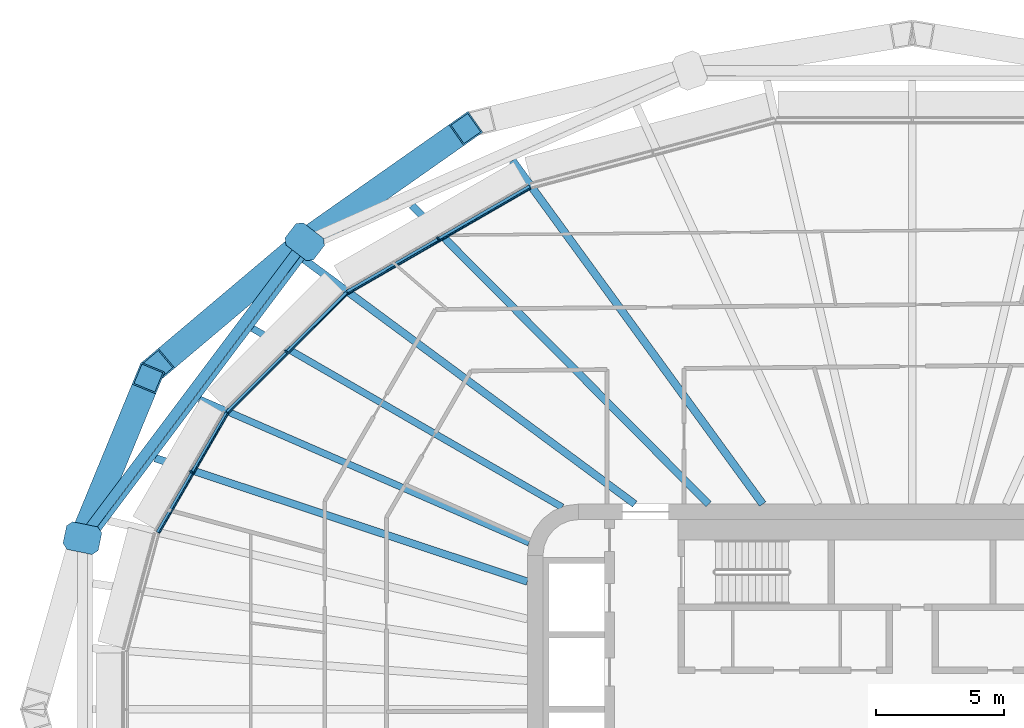
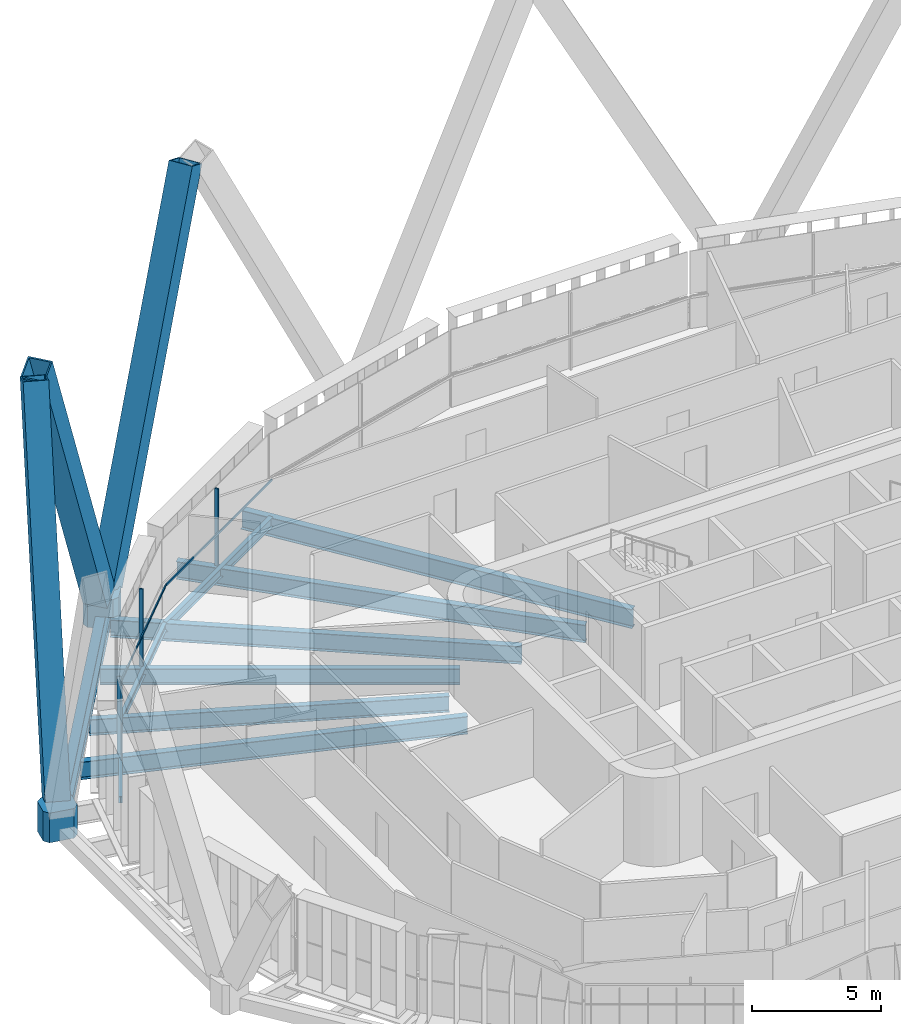
# One storey, part 7 of 25: 11 beams, 11 members, 3 elements without a shape of their own.
"""IFC4 building model written with IfcOpenShell, lengths in metres."""

from ifc_helpers import new_model, si_unit, direction, frame, origin, origin_2d, place, context, subcontext, project, spatial, polyline, rectangle, hollow_rectangle, i_section, outline, extrude, material, layer, layer_set, material_profile, profile_set, type_object, element, aggregate, save


model = new_model("IFC4")

# Units and contexts
model_context = context("Model", 3, precision=1e-05, world=origin(), true_north=direction((0.0, 1.0)))
body_context = subcontext(model_context, "Body", "Model", "MODEL_VIEW")
ifc_project = project(units=[si_unit("LENGTHUNIT", "METRE"), si_unit("AREAUNIT", "SQUARE_METRE"), si_unit("VOLUMEUNIT", "CUBIC_METRE"), si_unit("PLANEANGLEUNIT", "RADIAN"), si_unit("MASSUNIT", "GRAM", prefix="KILO")], contexts=[model_context])

# Site, building, storey
site_placement = place(None, origin())
site = spatial("IfcSite", under=ifc_project, at=site_placement, CompositionType="ELEMENT")
building_placement = place(site_placement, origin())
building = spatial("IfcBuilding", under=site, at=building_placement, Name="Sahrelin Media Tower", CompositionType="ELEMENT")
storey_placement = place(building_placement, frame((0.0, 0.0, 63.0)))
storey = spatial("IfcBuildingStorey", under=building, at=storey_placement, Name="L10", CompositionType="ELEMENT", Elevation=63.0)

# Members
ifc_material_1 = material(Name="Steel S460", Category="steel")
ifc_material_profile_1 = material_profile(ifc_material_1, hollow_rectangle(XDim=1.0, YDim=1.0, WallThickness=0.06005859375, at=origin_2d()), Name="Diagrid diagonal DG1")
ifc_profile_set_1 = profile_set([ifc_material_profile_1], Name="Steel S460")
member_type_1 = type_object("IfcMemberType", Name="Diagrid diagonal DG1", PredefinedType="BRACE", material=ifc_profile_set_1)
member_1_placement = place(storey_placement, frame((-23.408203125, 18.419189453125, 0.699951171875), z_axis=(0.352189140752, 0.247399563402, 0.902638501929), x_axis=(-0.574813771639, 0.818284258638, 0.0)))
element("IfcMember", 1, at=member_1_placement, inside=storey, type_object=member_type_1, Name="Diagrid diagonal D01-08", PredefinedType="BRACE", context=body_context, shape_type="SweptSolid", body=[
    extrude(hollow_rectangle(XDim=1.0, YDim=1.0, WallThickness=0.06005859375, at=origin_2d()), origin(), (0.0, 0.0, 1.0), 17.061279296875),
])
member_2_placement = place(storey_placement, frame((-23.930419921875, 18.01708984375, 0.699951171875), z_axis=(-0.322789301353, -0.272234018557, 0.90647432731), x_axis=(0.644705674883, -0.764430894701, 0.0)))
element("IfcMember", 2, at=member_2_placement, inside=storey, type_object=member_type_1, Name="Diagrid diagonal D01-09", PredefinedType="BRACE", context=body_context, shape_type="SweptSolid", body=[
    extrude(hollow_rectangle(XDim=1.0, YDim=1.0, WallThickness=0.06005859375, at=origin_2d()), origin(), (0.0, 0.0, 1.0), 16.989013671875),
])
member_3_placement = place(storey_placement, frame((-32.2373046875, 6.943115234375, 0.699951171875), z_axis=(0.147434029779, 0.357371081902, 0.922252197982), x_axis=(-0.92442176853, 0.381371726623, 0.0)))
element("IfcMember", 3, at=member_3_placement, inside=storey, type_object=member_type_1, Name="Diagrid diagonal D01-10", PredefinedType="BRACE", context=body_context, shape_type="SweptSolid", body=[
    extrude(hollow_rectangle(XDim=1.0, YDim=1.0, WallThickness=0.06005859375, at=origin_2d()), origin(), (0.0, 0.0, 1.0), 16.698486328125),
])
ifc_material_profile_2 = material_profile(ifc_material_1, outline(polyline([(0.5, -0.550048828125), (0.699951171875, -0.35009765625), (0.699951171875, 0.35009765625), (0.5, 0.550048828125), (-0.5, 0.550048828125), (-0.699951171875, 0.35009765625), (-0.699951171875, -0.35009765625), (-0.5, -0.550048828125), (0.5, -0.550048828125)])), Name="Diagrid node block 1400")
ifc_profile_set_2 = profile_set([ifc_material_profile_2], Name="Steel S460")
member_type_2 = type_object("IfcMemberType", Name="Diagrid node block 1400", PredefinedType="USERDEFINED", material=ifc_profile_set_2)
for number, where, z_axis, x_axis, name in (
    (4, (-23.68115234375, 18.227294921875, -0.699951171875), (0.0, 0.0, 1.0), (-0.792445093645, 0.609943254376, 0.0), "Diagrid node N01-04"),
    (5, (-32.34912109375, 6.671630859375, -0.699951171875), (0.0, 0.0, 1.0), (-0.979387770926, 0.201989094163, 0.0), "Diagrid node N01-05"),
):
    element("IfcMember", number, at=place(storey_placement, frame(where, z_axis=z_axis, x_axis=x_axis)), inside=storey, type_object=member_type_2, Name=name, ObjectType="NODE", PredefinedType="USERDEFINED", context=body_context, shape_type="SweptSolid", body=[
        extrude(outline(polyline([(0.5, -0.550048828125), (0.699951171875, -0.35009765625), (0.699951171875, 0.35009765625), (0.5, 0.550048828125), (-0.5, 0.550048828125), (-0.699951171875, 0.35009765625), (-0.699951171875, -0.35009765625), (-0.5, -0.550048828125), (0.5, -0.550048828125)])), origin(), (0.0, 0.0, 1.0), 1.39990234375),
    ])

# Beams
ifc_material_profile_3 = material_profile(ifc_material_1, hollow_rectangle(XDim=0.39990234375, YDim=0.60009765625, WallThickness=0.030029296875, at=origin_2d()), Name="Diagrid ring beam RB1")
ifc_profile_set_3 = profile_set([ifc_material_profile_3], Name="Steel S460")
beam_type_1 = type_object("IfcBeamType", Name="Diagrid ring beam RB1", PredefinedType="BEAM", material=ifc_profile_set_3)
beam_1_placement = place(storey_placement, frame((-23.68115234375, 18.227294921875, -0.449951171875), z_axis=(-0.600054081917, -0.799959435706, 0.0), x_axis=(0.799959435706, -0.600054081917, 0.0)))
element("IfcBeam", 6, at=beam_1_placement, inside=storey, type_object=beam_type_1, Name="Diagrid ring beam RB01-04", PredefinedType="BEAM", context=body_context, shape_type="SweptSolid", body=[
    extrude(hollow_rectangle(XDim=0.39990234375, YDim=0.60009765625, WallThickness=0.030029296875, at=origin_2d()), origin(), (0.0, 0.0, 1.0), 14.4453125),
])
ifc_material_2 = material(Name="Steel S355", Category="steel")
ifc_material_profile_4 = material_profile(ifc_material_2, i_section(OverallWidth=0.1650390625, OverallDepth=0.303466796875, WebThickness=0.006103515625, FlangeThickness=0.01025390625, FilletRadius=0.0087890625, at=origin_2d()), Name="UB 305x165x40")
ifc_profile_set_4 = profile_set([ifc_material_profile_4], Name="Steel S355")
beam_type_2 = type_object("IfcBeamType", Name="Edge beam EB2", PredefinedType="BEAM", material=ifc_profile_set_4)
beam_2_placement = place(storey_placement, frame((-29.40087890625, 6.885498046875, -0.3017578125), z_axis=(0.500003162844, 0.866023577708, 0.0), x_axis=(-0.866023577708, 0.500003162844, 0.0)))
element("IfcBeam", 7, at=beam_2_placement, inside=storey, type_object=beam_type_2, Name="Edge beam L10-15", PredefinedType="BEAM", context=body_context, shape_type="SweptSolid", body=[
    extrude(i_section(OverallWidth=0.1650390625, OverallDepth=0.303466796875, WebThickness=0.006103515625, FlangeThickness=0.01025390625, FilletRadius=0.0087890625, at=origin_2d()), origin(), (0.0, 0.0, 1.0), 5.3955078125),
])
ifc_material_profile_5 = material_profile(ifc_material_2, i_section(OverallWidth=0.17138671875, OverallDepth=0.35498046875, WebThickness=0.00732421875, FlangeThickness=0.011474609375, FilletRadius=0.01025390625, at=origin_2d()), Name="UB 356x171x51")
ifc_profile_set_5 = profile_set([ifc_material_profile_5], Name="Steel S355")
beam_type_3 = type_object("IfcBeamType", Name="Edge beam EB3", PredefinedType="BEAM", material=ifc_profile_set_5)
beam_3_placement = place(storey_placement, frame((-26.685791015625, 11.580810546875, -0.327392578125), z_axis=(0.707106781187, 0.707106781187, 0.0), x_axis=(-0.707106781187, 0.707106781187, 0.0)))
element("IfcBeam", 8, at=beam_3_placement, inside=storey, type_object=beam_type_3, Name="Edge beam L10-16", PredefinedType="BEAM", context=body_context, shape_type="SweptSolid", body=[
    extrude(i_section(OverallWidth=0.17138671875, OverallDepth=0.35498046875, WebThickness=0.00732421875, FlangeThickness=0.011474609375, FilletRadius=0.01025390625, at=origin_2d()), origin(), (0.0, 0.0, 1.0), 6.574951171875),
])
ifc_material_profile_6 = material_profile(ifc_material_2, i_section(OverallWidth=0.1904296875, OverallDepth=0.45703125, WebThickness=0.009033203125, FlangeThickness=0.014404296875, FilletRadius=0.01025390625, at=origin_2d()), Name="UB 457x191x74")
ifc_profile_set_6 = profile_set([ifc_material_profile_6], Name="Steel S355")
beam_type_4 = type_object("IfcBeamType", Name="Edge beam EB5", PredefinedType="BEAM", material=ifc_profile_set_6)
beam_4_placement = place(storey_placement, frame((-22.013671875, 16.24755859375, -0.37841796875), z_axis=(0.866022854634, 0.500004415232, 0.0), x_axis=(-0.500004415232, 0.866022854634, 0.0)))
element("IfcBeam", 9, at=beam_4_placement, inside=storey, type_object=beam_type_4, Name="Edge beam L10-17", PredefinedType="BEAM", context=body_context, shape_type="SweptSolid", body=[
    extrude(i_section(OverallWidth=0.1904296875, OverallDepth=0.45703125, WebThickness=0.009033203125, FlangeThickness=0.014404296875, FilletRadius=0.01025390625, at=origin_2d()), origin(), (0.0, 0.0, 1.0), 8.2197265625),
])

# Curtain wall, member
ifc_material_3 = material(Name="Champagne anodised aluminium 6063-T6", Category="aluminium")
ifc_layer = layer(ifc_material_3, 0.14990234375)
ifc_layer_set = layer_set([ifc_layer], Name="Tower ribbon curtain wall")
curtain_wall_type = type_object("IfcCurtainWallType", Name="Tower ribbon curtain wall", PredefinedType="NOTDEFINED", material=ifc_layer_set)
curtain_wall_1_placement = place(storey_placement, frame((-18.529296875, 18.4326171875, 0.0), z_axis=(0.0, 0.0, 1.0), x_axis=(1.0, 0.0, 0.0)))
curtain_wall_1 = element("IfcCurtainWall", 10, at=curtain_wall_1_placement, inside=storey, type_object=curtain_wall_type, Name="L10:CW:L10-08", PredefinedType="NOTDEFINED")
ifc_material_profile_7 = material_profile(ifc_material_3, rectangle(XDim=0.06005859375, YDim=0.14990234375, at=origin_2d()), Name="Mullion 60x150")
ifc_profile_set_7 = profile_set([ifc_material_profile_7], Name="Champagne anodised aluminium 6063-T6")
member_type_3 = type_object("IfcMemberType", Name="Mullion 60x150 CW1", PredefinedType="MULLION", material=ifc_profile_set_7)
member_4_placement = place(storey_placement, frame((-18.48193359375, 18.35009765625, 0.0), z_axis=(0.0, 0.0, 1.0), x_axis=(-0.866025403784, -0.5, 0.0)))
member_4 = element("IfcMember", 11, at=member_4_placement, type_object=member_type_3, Name="L10:CWM:L10-08", PredefinedType="MULLION", context=body_context, shape_type="SweptSolid", body=[
    extrude(rectangle(XDim=0.06005859375, YDim=0.14990234375, at=origin_2d()), origin(), (0.0, 0.0, 1.0), 3.648681640625),
])

curtain_wall_2_placement = place(storey_placement, frame((-24.46728515625, 14.011474609375, 0.0), z_axis=(0.0, 0.0, 1.0), x_axis=(1.0, 0.0, 0.0)))
curtain_wall_2 = element("IfcCurtainWall", 12, at=curtain_wall_2_placement, inside=storey, type_object=curtain_wall_type, Name="L10:CW:L10-09", PredefinedType="NOTDEFINED")
member_5_placement = place(storey_placement, frame((-24.39990234375, 13.9443359375, 0.0), z_axis=(0.0, 0.0, 1.0), x_axis=(-0.707106781187, -0.707106781187, 0.0)))
member_5 = element("IfcMember", 13, at=member_5_placement, type_object=member_type_3, Name="L10:CWM:L10-09", PredefinedType="MULLION", context=body_context, shape_type="SweptSolid", body=[
    extrude(rectangle(XDim=0.06005859375, YDim=0.14990234375, at=origin_2d()), origin(), (0.0, 0.0, 1.0), 3.648681640625),
])

curtain_wall_3_placement = place(storey_placement, frame((-28.181884765625, 9.296630859375, 0.0), z_axis=(0.0, 0.0, 1.0), x_axis=(1.0, 0.0, 0.0)))
curtain_wall_3 = element("IfcCurtainWall", 14, at=curtain_wall_3_placement, inside=storey, type_object=curtain_wall_type, Name="L10:CW:L10-10", PredefinedType="NOTDEFINED")
member_6_placement = place(storey_placement, frame((-28.099609375, 9.249267578125, 0.0), z_axis=(0.0, 0.0, 1.0), x_axis=(-0.499996976998, -0.866027149108, 0.0)))
member_6 = element("IfcMember", 15, at=member_6_placement, type_object=member_type_3, Name="L10:CWM:L10-10", PredefinedType="MULLION", context=body_context, shape_type="SweptSolid", body=[
    extrude(rectangle(XDim=0.06005859375, YDim=0.14990234375, at=origin_2d()), origin(), (0.0, 0.0, 1.0), 3.648681640625),
])

# Beams
ifc_material_profile_8 = material_profile(ifc_material_2, i_section(OverallWidth=0.291748046875, OverallDepth=0.8349609375, WebThickness=0.013916015625, FlangeThickness=0.018798828125, FilletRadius=0.017822265625, at=origin_2d()), Name="UB 838x292x176")
ifc_profile_set_8 = profile_set([ifc_material_profile_8], Name="Steel S355")
beam_type_5 = type_object("IfcBeamType", Name="Radial primary beam PB10", PredefinedType="BEAM", material=ifc_profile_set_8)
beam_5_placement = place(storey_placement, frame((-10.8154296875, 8.0, -0.5673828125), z_axis=(-0.803971039313, 0.59466845212, 0.0), x_axis=(-0.59466845212, -0.803971039313, 0.0)))
element("IfcBeam", 16, at=beam_5_placement, inside=storey, type_object=beam_type_5, Name="Radial beam L10-09", PredefinedType="BEAM", context=body_context, shape_type="SweptSolid", body=[
    extrude(i_section(OverallWidth=0.291748046875, OverallDepth=0.8349609375, WebThickness=0.013916015625, FlangeThickness=0.018798828125, FilletRadius=0.017822265625, at=origin_2d()), origin(), (0.0, 0.0, 1.0), 16.033935546875),
])
ifc_material_profile_9 = material_profile(ifc_material_2, i_section(OverallWidth=0.30322265625, OverallDepth=0.903076171875, WebThickness=0.01513671875, FlangeThickness=0.020263671875, FilletRadius=0.01904296875, at=origin_2d()), Name="UB 914x305x201")
ifc_profile_set_9 = profile_set([ifc_material_profile_9], Name="Steel S355")
beam_type_6 = type_object("IfcBeamType", Name="Radial primary beam PB11", PredefinedType="BEAM", material=ifc_profile_set_9)
beam_6_placement = place(storey_placement, frame((-5.8291015625, 8.0, -0.6015625), z_axis=(-0.588900368417, 0.808205639722, 0.0), x_axis=(-0.808205639722, -0.588900368417, 0.0)))
element("IfcBeam", 17, at=beam_6_placement, inside=storey, type_object=beam_type_6, Name="Radial beam L10-08", PredefinedType="BEAM", context=body_context, shape_type="SweptSolid", body=[
    extrude(i_section(OverallWidth=0.30322265625, OverallDepth=0.903076171875, WebThickness=0.01513671875, FlangeThickness=0.020263671875, FilletRadius=0.01904296875, at=origin_2d()), origin(), (0.0, 0.0, 1.0), 16.569580078125),
])
ifc_material_profile_10 = material_profile(ifc_material_2, i_section(OverallWidth=0.26513671875, OverallDepth=0.75390625, WebThickness=0.0126953125, FlangeThickness=0.017578125, FilletRadius=0.0166015625, at=origin_2d()), Name="UB 762x267x147")
ifc_profile_set_10 = profile_set([ifc_material_profile_10], Name="Steel S355")
beam_type_7 = type_object("IfcBeamType", Name="Radial primary beam PB9", PredefinedType="BEAM", material=ifc_profile_set_10)
beam_7_placement = place(storey_placement, frame((-14.934814453125, 6.495361328125, -0.527099609375), z_axis=(-0.917024373813, 0.398831164572, 0.0), x_axis=(-0.398831164572, -0.917024373813, 0.0)))
element("IfcBeam", 18, at=beam_7_placement, inside=storey, type_object=beam_type_7, Name="Radial beam L10-10", PredefinedType="BEAM", context=body_context, shape_type="SweptSolid", body=[
    extrude(i_section(OverallWidth=0.26513671875, OverallDepth=0.75390625, WebThickness=0.0126953125, FlangeThickness=0.017578125, FilletRadius=0.0166015625, at=origin_2d()), origin(), (0.0, 0.0, 1.0), 14.02099609375),
])
ifc_material_profile_11 = material_profile(ifc_material_2, i_section(OverallWidth=0.291748046875, OverallDepth=0.8349609375, WebThickness=0.013916015625, FlangeThickness=0.018798828125, FilletRadius=0.017822265625, at=origin_2d()), Name="UB 838x292x176")
ifc_profile_set_11 = profile_set([ifc_material_profile_11], Name="Steel S355")
beam_type_8 = type_object("IfcBeamType", Name="Radial secondary beam SB10", PredefinedType="BEAM", material=ifc_profile_set_11)
beam_8_placement = place(storey_placement, frame((-7.94287109375, 8.0, -0.5673828125), z_axis=(-0.704566431666, 0.709638036867, 0.0), x_axis=(-0.709638036867, -0.704566431666, 0.0)))
element("IfcBeam", 19, at=beam_8_placement, inside=storey, type_object=beam_type_8, Name="Secondary beam L10-08", PredefinedType="BEAM", context=body_context, shape_type="SweptSolid", body=[
    extrude(i_section(OverallWidth=0.291748046875, OverallDepth=0.8349609375, WebThickness=0.013916015625, FlangeThickness=0.018798828125, FilletRadius=0.017822265625, at=origin_2d()), origin(), (0.0, 0.0, 1.0), 16.415283203125),
])
beam_9_placement = place(storey_placement, frame((-15.0, 4.97607421875, -0.5673828125), z_axis=(-0.949135713963, 0.314867268035, 0.0), x_axis=(-0.314867268035, -0.949135713963, 0.0)))
element("IfcBeam", 20, at=beam_9_placement, inside=storey, type_object=beam_type_8, Name="Secondary beam L10-10", PredefinedType="BEAM", context=body_context, shape_type="SweptSolid", body=[
    extrude(i_section(OverallWidth=0.291748046875, OverallDepth=0.8349609375, WebThickness=0.013916015625, FlangeThickness=0.018798828125, FilletRadius=0.017822265625, at=origin_2d()), origin(), (0.0, 0.0, 1.0), 15.292724609375),
])
ifc_material_profile_12 = material_profile(ifc_material_2, i_section(OverallWidth=0.26513671875, OverallDepth=0.75390625, WebThickness=0.0126953125, FlangeThickness=0.017578125, FilletRadius=0.0166015625, at=origin_2d()), Name="UB 762x267x147")
ifc_profile_set_12 = profile_set([ifc_material_profile_12], Name="Steel S355")
beam_type_9 = type_object("IfcBeamType", Name="Radial secondary beam SB9", PredefinedType="BEAM", material=ifc_profile_set_12)
beam_10_placement = place(storey_placement, frame((-13.647216796875, 7.87841796875, -0.527099609375), z_axis=(-0.866051448613, 0.499954886321, 0.0), x_axis=(-0.499954886321, -0.866051448613, 0.0)))
element("IfcBeam", 21, at=beam_10_placement, inside=storey, type_object=beam_type_9, Name="Secondary beam L10-09", PredefinedType="BEAM", context=body_context, shape_type="SweptSolid", body=[
    extrude(i_section(OverallWidth=0.26513671875, OverallDepth=0.75390625, WebThickness=0.0126953125, FlangeThickness=0.017578125, FilletRadius=0.0166015625, at=origin_2d()), origin(), (0.0, 0.0, 1.0), 13.941650390625),
])
ifc_material_profile_13 = material_profile(ifc_material_2, i_section(OverallWidth=0.1904296875, OverallDepth=0.45703125, WebThickness=0.009033203125, FlangeThickness=0.014404296875, FilletRadius=0.01025390625, at=origin_2d()), Name="UB 457x191x74")
ifc_profile_set_13 = profile_set([ifc_material_profile_13], Name="Steel S355")
beam_type_10 = type_object("IfcBeamType", Name="Tie chord TC5", PredefinedType="BEAM", material=ifc_profile_set_13)
beam_11_placement = place(storey_placement, frame((-32.049072265625, 6.571533203125, -0.37841796875), z_axis=(0.600057493907, 0.799956876341, 0.0), x_axis=(-0.799956876341, 0.600057493907, 0.0)))
element("IfcBeam", 22, at=beam_11_placement, inside=storey, type_object=beam_type_10, Name="Tie chord L10-08", PredefinedType="BEAM", context=body_context, shape_type="SweptSolid", body=[
    extrude(i_section(OverallWidth=0.1904296875, OverallDepth=0.45703125, WebThickness=0.009033203125, FlangeThickness=0.014404296875, FilletRadius=0.01025390625, at=origin_2d()), origin(), (0.0, 0.0, 1.0), 14.267333984375),
])

# Member
ifc_material_profile_14 = material_profile(ifc_material_3, rectangle(XDim=0.050048828125, YDim=0.10009765625, at=origin_2d()), Name="Transom 50x100")
ifc_profile_set_14 = profile_set([ifc_material_profile_14], Name="Champagne anodised aluminium 6063-T6")
member_type_4 = type_object("IfcMemberType", Name="Transom 50x100 CW1", PredefinedType="USERDEFINED", material=ifc_profile_set_14)
member_7_placement = place(storey_placement, frame((-14.88623046875, 20.310546875, 1.60009765625), z_axis=(-0.866034646646, -0.499983990553, 0.0), x_axis=(0.499983990553, -0.866034646646, 0.0)))
member_7 = element("IfcMember", 23, at=member_7_placement, type_object=member_type_4, Name="L10:CWT:L10-08", ObjectType="TRANSOM", PredefinedType="USERDEFINED", context=body_context, shape_type="SweptSolid", body=[
    extrude(rectangle(XDim=0.050048828125, YDim=0.10009765625, at=origin_2d()), origin(), (0.0, 0.0, 1.0), 8.188232421875),
])

aggregate(curtain_wall_1, [member_4, member_7])

member_8_placement = place(storey_placement, frame((-22.015869140625, 16.187255859375, 1.60009765625), z_axis=(-0.707106781187, -0.707106781187, 0.0), x_axis=(0.707106781187, -0.707106781187, 0.0)))
member_8 = element("IfcMember", 24, at=member_8_placement, type_object=member_type_4, Name="L10:CWT:L10-09", ObjectType="TRANSOM", PredefinedType="USERDEFINED", context=body_context, shape_type="SweptSolid", body=[
    extrude(rectangle(XDim=0.050048828125, YDim=0.10009765625, at=origin_2d()), origin(), (0.0, 0.0, 1.0), 6.54345703125),
])

aggregate(curtain_wall_2, [member_5, member_8])

member_9_placement = place(storey_placement, frame((-26.672119140625, 11.52197265625, 1.60009765625), z_axis=(-0.499971977112, -0.866041582202, 0.0), x_axis=(0.866041582202, -0.499971977112, 0.0)))
member_9 = element("IfcMember", 25, at=member_9_placement, type_object=member_type_4, Name="L10:CWT:L10-10", ObjectType="TRANSOM", PredefinedType="USERDEFINED", context=body_context, shape_type="SweptSolid", body=[
    extrude(rectangle(XDim=0.050048828125, YDim=0.10009765625, at=origin_2d()), origin(), (0.0, 0.0, 1.0), 5.364013671875),
])

aggregate(curtain_wall_3, [member_6, member_9])

save(model, "model.ifc")
